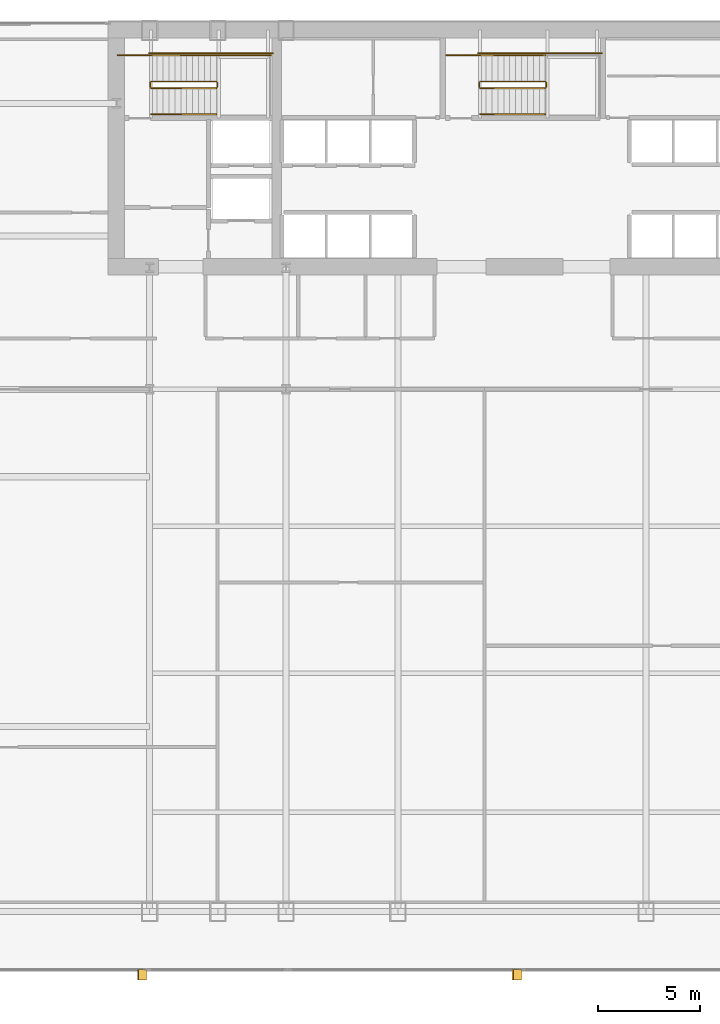
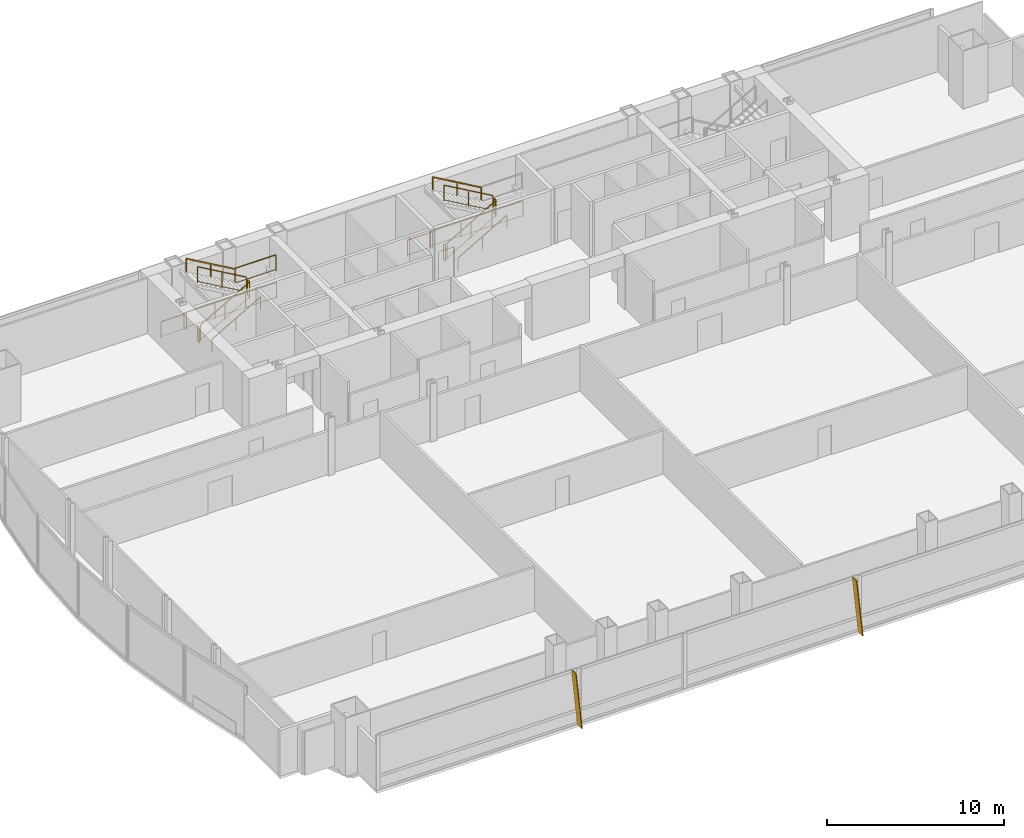
# One storey, part 33 of 35: 17 railings, 2 shading devices.
"""IFC4 building model written with IfcOpenShell, lengths in metres."""

from ifc_helpers import new_model, si_unit, direction, frame, origin, origin_2d, place, context, subcontext, project, spatial, polyline, rectangle, outline, extrude, material, layer, layer_set, type_object, element, save


model = new_model("IFC4")

# Units and contexts
model_context = context("Model", 3, precision=1e-05, world=origin(), true_north=direction((0.0, 1.0)))
body_context = subcontext(model_context, "Body", "Model", "MODEL_VIEW")
ifc_project = project(units=[si_unit("LENGTHUNIT", "METRE"), si_unit("AREAUNIT", "SQUARE_METRE"), si_unit("VOLUMEUNIT", "CUBIC_METRE"), si_unit("PLANEANGLEUNIT", "RADIAN"), si_unit("MASSUNIT", "GRAM", prefix="KILO")], contexts=[model_context])

# Site, building, storey
site_placement = place(None, origin())
site = spatial("IfcSite", under=ifc_project, at=site_placement, CompositionType="ELEMENT")
building_placement = place(site_placement, origin())
building = spatial("IfcBuilding", under=site, at=building_placement, Name="Khoronbel Lancet Exchange", CompositionType="ELEMENT")
storey_placement = place(building_placement, frame((0.0, 0.0, 53.800048828125)))
storey = spatial("IfcBuildingStorey", under=building, at=storey_placement, Name="L12", CompositionType="ELEMENT", Elevation=53.800048828125)

# Railings
ifc_material_1 = material(Name="Painted Steel Balustrade", Category="steel")
railing_type_1 = type_object("IfcRailingType", Name="RL-STG110", PredefinedType="GUARDRAIL", material=ifc_material_1)
railing_1_placement = place(storey_placement, frame((18.300048828125, 50.449951171875, 0.16650390625)))
element("IfcRailing", 1, at=railing_1_placement, inside=storey, type_object=railing_type_1, Name="L12 ST1 stair guard 1", PredefinedType="GUARDRAIL", context=body_context, shape_type="SweptSolid", body=[
    extrude(rectangle(XDim=0.048095703125, YDim=0.048095703125, at=origin_2d()), frame((0.0, 0.0, 1.09619140625), z_axis=(0.86699087805, 0.0, 0.498324008431), x_axis=(0.0, 1.0, 0.0)), (0.0, 0.0, 1.0), 3.679443359375),
    extrude(rectangle(XDim=0.02392578125, YDim=0.02392578125, at=origin_2d()), frame((0.0, 0.0, 0.080078125), z_axis=(0.86699087805, 0.0, 0.498324008431), x_axis=(0.0, 1.0, 0.0)), (0.0, 0.0, 1.0), 3.679443359375),
    extrude(rectangle(XDim=0.0419921875, YDim=0.0419921875, at=origin_2d()), origin(), (0.0, 0.0, 1.0), 1.072021484375),
    extrude(rectangle(XDim=0.0419921875, YDim=0.0419921875, at=origin_2d()), frame((1.594970703125, 0.0, 0.916748046875)), (0.0, 0.0, 1.0), 1.072021484375),
    extrude(rectangle(XDim=0.0419921875, YDim=0.0419921875, at=origin_2d()), frame((3.18994140625, 0.0, 1.83349609375)), (0.0, 0.0, 1.0), 1.072021484375),
])
railing_2_placement = place(storey_placement, frame((21.5400390625, 50.5, 2.0)))
element("IfcRailing", 2, at=railing_2_placement, inside=storey, type_object=railing_type_1, Name="L12 ST1 stair guard 2", PredefinedType="GUARDRAIL", context=body_context, shape_type="SweptSolid", body=[
    extrude(rectangle(XDim=0.048095703125, YDim=0.048095703125, at=origin_2d()), frame((0.0, 0.0, 1.09619140625), z_axis=(0.0, 1.0, 0.0), x_axis=(-1.0, 0.0, 0.0)), (0.0, 0.0, 1.0), 0.219970703125),
    extrude(rectangle(XDim=0.02392578125, YDim=0.02392578125, at=origin_2d()), frame((0.0, 0.0, 0.080078125), z_axis=(0.0, 1.0, 0.0), x_axis=(-1.0, 0.0, 0.0)), (0.0, 0.0, 1.0), 0.219970703125),
    extrude(rectangle(XDim=0.0419921875, YDim=0.0419921875, at=origin_2d()), origin(), (0.0, 0.0, 1.0), 1.072021484375),
    extrude(rectangle(XDim=0.0419921875, YDim=0.0419921875, at=origin_2d()), frame((0.0, 0.219970703125, 0.0)), (0.0, 0.0, 1.0), 1.072021484375),
])
railing_3_placement = place(storey_placement, frame((21.489990234375, 52.050048828125, 2.0)))
element("IfcRailing", 3, at=railing_3_placement, inside=storey, type_object=railing_type_1, Name="L12 ST1 stair guard 3", PredefinedType="GUARDRAIL", context=body_context, shape_type="SweptSolid", body=[
    extrude(rectangle(XDim=0.048095703125, YDim=0.048095703125, at=origin_2d()), frame((0.0, 0.0, 1.09619140625), z_axis=(1.0, 0.0, 0.0), x_axis=(0.0, 1.0, 0.0)), (0.0, 0.0, 1.0), 2.659912109375),
    extrude(rectangle(XDim=0.02392578125, YDim=0.02392578125, at=origin_2d()), frame((0.0, 0.0, 0.080078125), z_axis=(1.0, 0.0, 0.0), x_axis=(0.0, 1.0, 0.0)), (0.0, 0.0, 1.0), 2.659912109375),
    extrude(rectangle(XDim=0.0419921875, YDim=0.0419921875, at=origin_2d()), origin(), (0.0, 0.0, 1.0), 1.072021484375),
    extrude(rectangle(XDim=0.0419921875, YDim=0.0419921875, at=origin_2d()), frame((2.659912109375, 0.0, 0.0)), (0.0, 0.0, 1.0), 1.072021484375),
])
railing_4_placement = place(storey_placement, frame((21.489990234375, 50.77001953125, 2.16650390625)))
element("IfcRailing", 4, at=railing_4_placement, inside=storey, type_object=railing_type_1, Name="L12 ST1 stair guard 4", PredefinedType="GUARDRAIL", context=body_context, shape_type="SweptSolid", body=[
    extrude(rectangle(XDim=0.048095703125, YDim=0.048095703125, at=origin_2d()), frame((0.0, 0.0, 1.09619140625), z_axis=(-0.86699087805, 0.0, 0.498324008431), x_axis=(0.0, -1.0, 0.0)), (0.0, 0.0, 1.0), 3.679443359375),
    extrude(rectangle(XDim=0.02392578125, YDim=0.02392578125, at=origin_2d()), frame((0.0, 0.0, 0.080078125), z_axis=(-0.86699087805, 0.0, 0.498324008431), x_axis=(0.0, -1.0, 0.0)), (0.0, 0.0, 1.0), 3.679443359375),
    extrude(rectangle(XDim=0.0419921875, YDim=0.0419921875, at=origin_2d()), origin(), (0.0, 0.0, 1.0), 1.072021484375),
    extrude(rectangle(XDim=0.0419921875, YDim=0.0419921875, at=origin_2d()), frame((-1.594970703125, 0.0, 0.916748046875)), (0.0, 0.0, 1.0), 1.072021484375),
    extrude(rectangle(XDim=0.0419921875, YDim=0.0419921875, at=origin_2d()), frame((-3.18994140625, 0.0, 1.83349609375)), (0.0, 0.0, 1.0), 1.072021484375),
])
railing_5_placement = place(storey_placement, frame((18.25, 50.5, 0.0)))
element("IfcRailing", 5, at=railing_5_placement, inside=storey, type_object=railing_type_1, Name="L12 ST1 stair guard 5", PredefinedType="GUARDRAIL", context=body_context, shape_type="SweptSolid", body=[
    extrude(rectangle(XDim=0.048095703125, YDim=0.048095703125, at=origin_2d()), frame((0.0, 0.0, 1.09619140625), z_axis=(0.0, 1.0, 0.0), x_axis=(-1.0, 0.0, 0.0)), (0.0, 0.0, 1.0), 0.219970703125),
    extrude(rectangle(XDim=0.02392578125, YDim=0.02392578125, at=origin_2d()), frame((0.0, 0.0, 0.080078125), z_axis=(0.0, 1.0, 0.0), x_axis=(-1.0, 0.0, 0.0)), (0.0, 0.0, 1.0), 0.219970703125),
    extrude(rectangle(XDim=0.0419921875, YDim=0.0419921875, at=origin_2d()), origin(), (0.0, 0.0, 1.0), 1.072021484375),
    extrude(rectangle(XDim=0.0419921875, YDim=0.0419921875, at=origin_2d()), frame((0.0, 0.219970703125, 0.0)), (0.0, 0.0, 1.0), 1.072021484375),
])
railing_6_placement = place(storey_placement, frame((16.64990234375, 52.050048828125, 0.0)))
element("IfcRailing", 6, at=railing_6_placement, inside=storey, type_object=railing_type_1, Name="L12 ST1 stair guard 6", PredefinedType="GUARDRAIL", context=body_context, shape_type="SweptSolid", body=[
    extrude(rectangle(XDim=0.048095703125, YDim=0.048095703125, at=origin_2d()), frame((0.0, 0.0, 1.09619140625), z_axis=(1.0, 0.0, 0.0), x_axis=(0.0, 1.0, 0.0)), (0.0, 0.0, 1.0), 1.650146484375),
    extrude(rectangle(XDim=0.02392578125, YDim=0.02392578125, at=origin_2d()), frame((0.0, 0.0, 0.080078125), z_axis=(1.0, 0.0, 0.0), x_axis=(0.0, 1.0, 0.0)), (0.0, 0.0, 1.0), 1.650146484375),
    extrude(rectangle(XDim=0.0419921875, YDim=0.0419921875, at=origin_2d()), origin(), (0.0, 0.0, 1.0), 1.072021484375),
    extrude(rectangle(XDim=0.0419921875, YDim=0.0419921875, at=origin_2d()), frame((1.650146484375, 0.0, 0.0)), (0.0, 0.0, 1.0), 1.072021484375),
])
railing_7_placement = place(storey_placement, frame((18.199951171875, 52.14990234375, 0.0)))
element("IfcRailing", 7, at=railing_7_placement, inside=storey, type_object=railing_type_1, Name="L12 ST1 stair guard 7", PredefinedType="GUARDRAIL", context=body_context, shape_type="SweptSolid", body=[
    extrude(rectangle(XDim=0.048095703125, YDim=0.048095703125, at=origin_2d()), frame((0.0, 0.0, 1.09619140625), z_axis=(1.0, 0.0, 0.0), x_axis=(0.0, 1.0, 0.0)), (0.0, 0.0, 1.0), 6.050048828125),
    extrude(rectangle(XDim=0.02392578125, YDim=0.02392578125, at=origin_2d()), frame((0.0, 0.0, 0.080078125), z_axis=(1.0, 0.0, 0.0), x_axis=(0.0, 1.0, 0.0)), (0.0, 0.0, 1.0), 6.050048828125),
    extrude(rectangle(XDim=0.0419921875, YDim=0.0419921875, at=origin_2d()), origin(), (0.0, 0.0, 1.0), 1.072021484375),
    extrude(rectangle(XDim=0.0419921875, YDim=0.0419921875, at=origin_2d()), frame((2.0166015625, 0.0, 0.0)), (0.0, 0.0, 1.0), 1.072021484375),
    extrude(rectangle(XDim=0.0419921875, YDim=0.0419921875, at=origin_2d()), frame((4.033447265625, 0.0, 0.0)), (0.0, 0.0, 1.0), 1.072021484375),
    extrude(rectangle(XDim=0.0419921875, YDim=0.0419921875, at=origin_2d()), frame((6.050048828125, 0.0, 0.0)), (0.0, 0.0, 1.0), 1.072021484375),
])
railing_8_placement = place(storey_placement, frame((34.39990234375, 50.449951171875, 0.16650390625)))
element("IfcRailing", 8, at=railing_8_placement, inside=storey, type_object=railing_type_1, Name="L12 ST3 stair guard 1", PredefinedType="GUARDRAIL", context=body_context, shape_type="SweptSolid", body=[
    extrude(rectangle(XDim=0.048095703125, YDim=0.048095703125, at=origin_2d()), frame((0.0, 0.0, 1.09619140625), z_axis=(0.867007354286, 0.0, 0.498295341753), x_axis=(0.0, 1.0, 0.0)), (0.0, 0.0, 1.0), 3.679443359375),
    extrude(rectangle(XDim=0.02392578125, YDim=0.02392578125, at=origin_2d()), frame((0.0, 0.0, 0.080078125), z_axis=(0.867007354286, 0.0, 0.498295341753), x_axis=(0.0, 1.0, 0.0)), (0.0, 0.0, 1.0), 3.679443359375),
    extrude(rectangle(XDim=0.0419921875, YDim=0.0419921875, at=origin_2d()), origin(), (0.0, 0.0, 1.0), 1.072021484375),
    extrude(rectangle(XDim=0.0419921875, YDim=0.0419921875, at=origin_2d()), frame((1.59521484375, 0.0, 0.916748046875)), (0.0, 0.0, 1.0), 1.072021484375),
    extrude(rectangle(XDim=0.0419921875, YDim=0.0419921875, at=origin_2d()), frame((3.190185546875, 0.0, 1.83349609375)), (0.0, 0.0, 1.0), 1.072021484375),
])
railing_9_placement = place(storey_placement, frame((37.639892578125, 50.5, 2.0)))
element("IfcRailing", 9, at=railing_9_placement, inside=storey, type_object=railing_type_1, Name="L12 ST3 stair guard 2", PredefinedType="GUARDRAIL", context=body_context, shape_type="SweptSolid", body=[
    extrude(rectangle(XDim=0.048095703125, YDim=0.048095703125, at=origin_2d()), frame((0.0, 0.0, 1.09619140625), z_axis=(0.0, 1.0, 0.0), x_axis=(-1.0, 0.0, 0.0)), (0.0, 0.0, 1.0), 0.219970703125),
    extrude(rectangle(XDim=0.02392578125, YDim=0.02392578125, at=origin_2d()), frame((0.0, 0.0, 0.080078125), z_axis=(0.0, 1.0, 0.0), x_axis=(-1.0, 0.0, 0.0)), (0.0, 0.0, 1.0), 0.219970703125),
    extrude(rectangle(XDim=0.0419921875, YDim=0.0419921875, at=origin_2d()), origin(), (0.0, 0.0, 1.0), 1.072021484375),
    extrude(rectangle(XDim=0.0419921875, YDim=0.0419921875, at=origin_2d()), frame((0.0, 0.219970703125, 0.0)), (0.0, 0.0, 1.0), 1.072021484375),
])
railing_10_placement = place(storey_placement, frame((37.590087890625, 50.77001953125, 2.16650390625)))
element("IfcRailing", 10, at=railing_10_placement, inside=storey, type_object=railing_type_1, Name="L12 ST3 stair guard 4", PredefinedType="GUARDRAIL", context=body_context, shape_type="SweptSolid", body=[
    extrude(rectangle(XDim=0.048095703125, YDim=0.048095703125, at=origin_2d()), frame((0.0, 0.0, 1.09619140625), z_axis=(-0.867007354286, 0.0, 0.498295341753), x_axis=(0.0, -1.0, 0.0)), (0.0, 0.0, 1.0), 3.679443359375),
    extrude(rectangle(XDim=0.02392578125, YDim=0.02392578125, at=origin_2d()), frame((0.0, 0.0, 0.080078125), z_axis=(-0.867007354286, 0.0, 0.498295341753), x_axis=(0.0, -1.0, 0.0)), (0.0, 0.0, 1.0), 3.679443359375),
    extrude(rectangle(XDim=0.0419921875, YDim=0.0419921875, at=origin_2d()), origin(), (0.0, 0.0, 1.0), 1.072021484375),
    extrude(rectangle(XDim=0.0419921875, YDim=0.0419921875, at=origin_2d()), frame((-1.59521484375, 0.0, 0.916748046875)), (0.0, 0.0, 1.0), 1.072021484375),
    extrude(rectangle(XDim=0.0419921875, YDim=0.0419921875, at=origin_2d()), frame((-3.190185546875, 0.0, 1.83349609375)), (0.0, 0.0, 1.0), 1.072021484375),
])
railing_11_placement = place(storey_placement, frame((34.35009765625, 50.5, 0.0)))
element("IfcRailing", 11, at=railing_11_placement, inside=storey, type_object=railing_type_1, Name="L12 ST3 stair guard 5", PredefinedType="GUARDRAIL", context=body_context, shape_type="SweptSolid", body=[
    extrude(rectangle(XDim=0.048095703125, YDim=0.048095703125, at=origin_2d()), frame((0.0, 0.0, 1.09619140625), z_axis=(0.0, 1.0, 0.0), x_axis=(-1.0, 0.0, 0.0)), (0.0, 0.0, 1.0), 0.219970703125),
    extrude(rectangle(XDim=0.02392578125, YDim=0.02392578125, at=origin_2d()), frame((0.0, 0.0, 0.080078125), z_axis=(0.0, 1.0, 0.0), x_axis=(-1.0, 0.0, 0.0)), (0.0, 0.0, 1.0), 0.219970703125),
    extrude(rectangle(XDim=0.0419921875, YDim=0.0419921875, at=origin_2d()), origin(), (0.0, 0.0, 1.0), 1.072021484375),
    extrude(rectangle(XDim=0.0419921875, YDim=0.0419921875, at=origin_2d()), frame((0.0, 0.219970703125, 0.0)), (0.0, 0.0, 1.0), 1.072021484375),
])
railing_12_placement = place(storey_placement, frame((32.75, 52.050048828125, 0.0)))
element("IfcRailing", 12, at=railing_12_placement, inside=storey, type_object=railing_type_1, Name="L12 ST3 stair guard 6", PredefinedType="GUARDRAIL", context=body_context, shape_type="SweptSolid", body=[
    extrude(rectangle(XDim=0.048095703125, YDim=0.048095703125, at=origin_2d()), frame((0.0, 0.0, 1.09619140625), z_axis=(1.0, 0.0, 0.0), x_axis=(0.0, 1.0, 0.0)), (0.0, 0.0, 1.0), 1.64990234375),
    extrude(rectangle(XDim=0.02392578125, YDim=0.02392578125, at=origin_2d()), frame((0.0, 0.0, 0.080078125), z_axis=(1.0, 0.0, 0.0), x_axis=(0.0, 1.0, 0.0)), (0.0, 0.0, 1.0), 1.64990234375),
    extrude(rectangle(XDim=0.0419921875, YDim=0.0419921875, at=origin_2d()), origin(), (0.0, 0.0, 1.0), 1.072021484375),
    extrude(rectangle(XDim=0.0419921875, YDim=0.0419921875, at=origin_2d()), frame((1.64990234375, 0.0, 0.0)), (0.0, 0.0, 1.0), 1.072021484375),
])
railing_13_placement = place(storey_placement, frame((34.300048828125, 52.14990234375, 0.0)))
element("IfcRailing", 13, at=railing_13_placement, inside=storey, type_object=railing_type_1, Name="L12 ST3 stair guard 7", PredefinedType="GUARDRAIL", context=body_context, shape_type="SweptSolid", body=[
    extrude(rectangle(XDim=0.048095703125, YDim=0.048095703125, at=origin_2d()), frame((0.0, 0.0, 1.09619140625), z_axis=(1.0, 0.0, 0.0), x_axis=(0.0, 1.0, 0.0)), (0.0, 0.0, 1.0), 6.050048828125),
    extrude(rectangle(XDim=0.02392578125, YDim=0.02392578125, at=origin_2d()), frame((0.0, 0.0, 0.080078125), z_axis=(1.0, 0.0, 0.0), x_axis=(0.0, 1.0, 0.0)), (0.0, 0.0, 1.0), 6.050048828125),
    extrude(rectangle(XDim=0.0419921875, YDim=0.0419921875, at=origin_2d()), origin(), (0.0, 0.0, 1.0), 1.072021484375),
    extrude(rectangle(XDim=0.0419921875, YDim=0.0419921875, at=origin_2d()), frame((2.0166015625, 0.0, 0.0)), (0.0, 0.0, 1.0), 1.072021484375),
    extrude(rectangle(XDim=0.0419921875, YDim=0.0419921875, at=origin_2d()), frame((4.033447265625, 0.0, 0.0)), (0.0, 0.0, 1.0), 1.072021484375),
    extrude(rectangle(XDim=0.0419921875, YDim=0.0419921875, at=origin_2d()), frame((6.050048828125, 0.0, 0.0)), (0.0, 0.0, 1.0), 1.072021484375),
])
ifc_material_2 = material(Name="Brushed Stainless Steel 316", Category="steel")
railing_type_2 = type_object("IfcRailingType", Name="RL-STH92", PredefinedType="HANDRAIL", material=ifc_material_2)
railing_14_placement = place(storey_placement, frame((18.300048828125, 49.169921875, 0.16650390625)))
element("IfcRailing", 14, at=railing_14_placement, inside=storey, type_object=railing_type_2, Name="L12 ST1 stair handrail 1", PredefinedType="HANDRAIL", context=body_context, shape_type="SweptSolid", body=[
    extrude(rectangle(XDim=0.048095703125, YDim=0.048095703125, at=origin_2d()), frame((0.0, 0.0, 0.8759765625), z_axis=(0.86699087805, 0.0, 0.498324008431), x_axis=(0.0, 1.0, 0.0)), (0.0, 0.0, 1.0), 3.679443359375),
    extrude(rectangle(XDim=0.0419921875, YDim=0.0419921875, at=origin_2d()), origin(), (0.0, 0.0, 1.0), 0.851806640625),
    extrude(rectangle(XDim=0.0419921875, YDim=0.0419921875, at=origin_2d()), frame((1.594970703125, 0.0, 0.916748046875)), (0.0, 0.0, 1.0), 0.851806640625),
    extrude(rectangle(XDim=0.0419921875, YDim=0.0419921875, at=origin_2d()), frame((3.18994140625, 0.0, 1.83349609375)), (0.0, 0.0, 1.0), 0.851806640625),
])
railing_15_placement = place(storey_placement, frame((21.489990234375, 52.050048828125, 2.16650390625)))
element("IfcRailing", 15, at=railing_15_placement, inside=storey, type_object=railing_type_2, Name="L12 ST1 stair handrail 2", PredefinedType="HANDRAIL", context=body_context, shape_type="SweptSolid", body=[
    extrude(rectangle(XDim=0.048095703125, YDim=0.048095703125, at=origin_2d()), frame((0.0, 0.0, 0.8759765625), z_axis=(-0.86699087805, 0.0, 0.498324008431), x_axis=(0.0, -1.0, 0.0)), (0.0, 0.0, 1.0), 3.679443359375),
    extrude(rectangle(XDim=0.0419921875, YDim=0.0419921875, at=origin_2d()), origin(), (0.0, 0.0, 1.0), 0.851806640625),
    extrude(rectangle(XDim=0.0419921875, YDim=0.0419921875, at=origin_2d()), frame((-1.594970703125, 0.0, 0.916748046875)), (0.0, 0.0, 1.0), 0.851806640625),
    extrude(rectangle(XDim=0.0419921875, YDim=0.0419921875, at=origin_2d()), frame((-3.18994140625, 0.0, 1.83349609375)), (0.0, 0.0, 1.0), 0.851806640625),
])
railing_16_placement = place(storey_placement, frame((34.39990234375, 49.169921875, 0.16650390625)))
element("IfcRailing", 16, at=railing_16_placement, inside=storey, type_object=railing_type_2, Name="L12 ST3 stair handrail 1", PredefinedType="HANDRAIL", context=body_context, shape_type="SweptSolid", body=[
    extrude(rectangle(XDim=0.048095703125, YDim=0.048095703125, at=origin_2d()), frame((0.0, 0.0, 0.8759765625), z_axis=(0.867007354286, 0.0, 0.498295341753), x_axis=(0.0, 1.0, 0.0)), (0.0, 0.0, 1.0), 3.679443359375),
    extrude(rectangle(XDim=0.0419921875, YDim=0.0419921875, at=origin_2d()), origin(), (0.0, 0.0, 1.0), 0.851806640625),
    extrude(rectangle(XDim=0.0419921875, YDim=0.0419921875, at=origin_2d()), frame((1.59521484375, 0.0, 0.916748046875)), (0.0, 0.0, 1.0), 0.851806640625),
    extrude(rectangle(XDim=0.0419921875, YDim=0.0419921875, at=origin_2d()), frame((3.190185546875, 0.0, 1.83349609375)), (0.0, 0.0, 1.0), 0.851806640625),
])
railing_17_placement = place(storey_placement, frame((37.590087890625, 52.050048828125, 2.16650390625)))
element("IfcRailing", 17, at=railing_17_placement, inside=storey, type_object=railing_type_2, Name="L12 ST3 stair handrail 2", PredefinedType="HANDRAIL", context=body_context, shape_type="SweptSolid", body=[
    extrude(rectangle(XDim=0.048095703125, YDim=0.048095703125, at=origin_2d()), frame((0.0, 0.0, 0.8759765625), z_axis=(-0.867007354286, 0.0, 0.498295341753), x_axis=(0.0, -1.0, 0.0)), (0.0, 0.0, 1.0), 3.679443359375),
    extrude(rectangle(XDim=0.0419921875, YDim=0.0419921875, at=origin_2d()), origin(), (0.0, 0.0, 1.0), 0.851806640625),
    extrude(rectangle(XDim=0.0419921875, YDim=0.0419921875, at=origin_2d()), frame((-1.59521484375, 0.0, 0.916748046875)), (0.0, 0.0, 1.0), 0.851806640625),
    extrude(rectangle(XDim=0.0419921875, YDim=0.0419921875, at=origin_2d()), frame((-3.190185546875, 0.0, 1.83349609375)), (0.0, 0.0, 1.0), 0.851806640625),
])

# Shading devices
ifc_material_3 = material(Name="Bronze-Anodised Aluminium 6063-T6", Category="aluminium")
ifc_layer = layer(ifc_material_3, 0.054931640625, Name="Bronze-Anodised Aluminium 6063-T6")
ifc_layer_set = layer_set([ifc_layer], Name="Bronze-Anodised Aluminium 6063-T6")
shading_device_type = type_object("IfcShadingDeviceType", Name="SHD-FIN1", PredefinedType="USERDEFINED", material=ifc_layer_set)
for number, where, z_axis, x_axis, name in (
    (18, (18.072509765625, 7.31005859375, -0.080078125), (0.995011517869, 0.0, 0.099760108806), (0.0, -1.0, 0.0), "Slanted bronze solar fin CW-L12-SWV-1"),
    (19, (36.422607421875, 7.31005859375, -0.080078125), (0.995011517869, 0.0, 0.099760108806), (0.0, -1.0, 0.0), "Slanted bronze solar fin CW-L12-SCV-1"),
):
    element("IfcShadingDevice", number, at=place(storey_placement, frame(where, z_axis=z_axis, x_axis=x_axis)), inside=storey, type_object=shading_device_type, Name=name, ObjectType="FIN", PredefinedType="USERDEFINED", context=body_context, shape_type="SweptSolid", body=[
        extrude(outline(polyline([(0.0, 0.0), (0.52001953125, 0.0), (0.52001953125, -3.959716796875), (0.0, -3.959716796875), (0.0, 0.0)])), origin(), (0.0, 0.0, -1.0), 0.054931640625),
    ])

save(model, "model.ifc")
